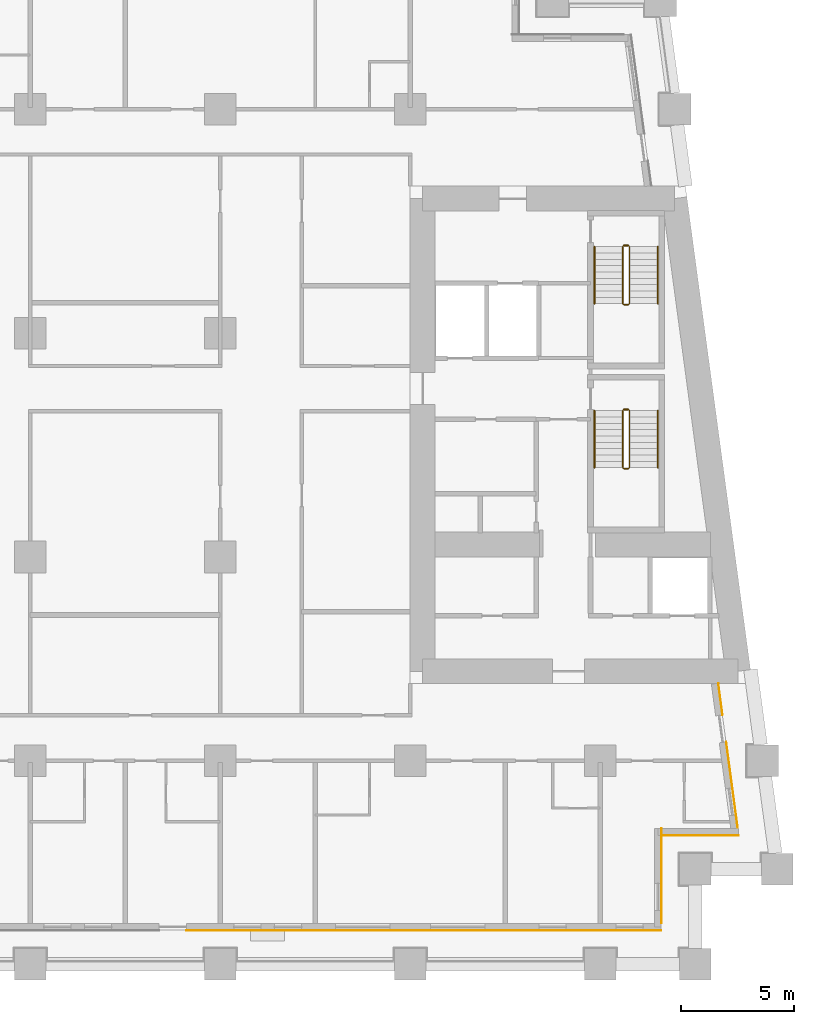
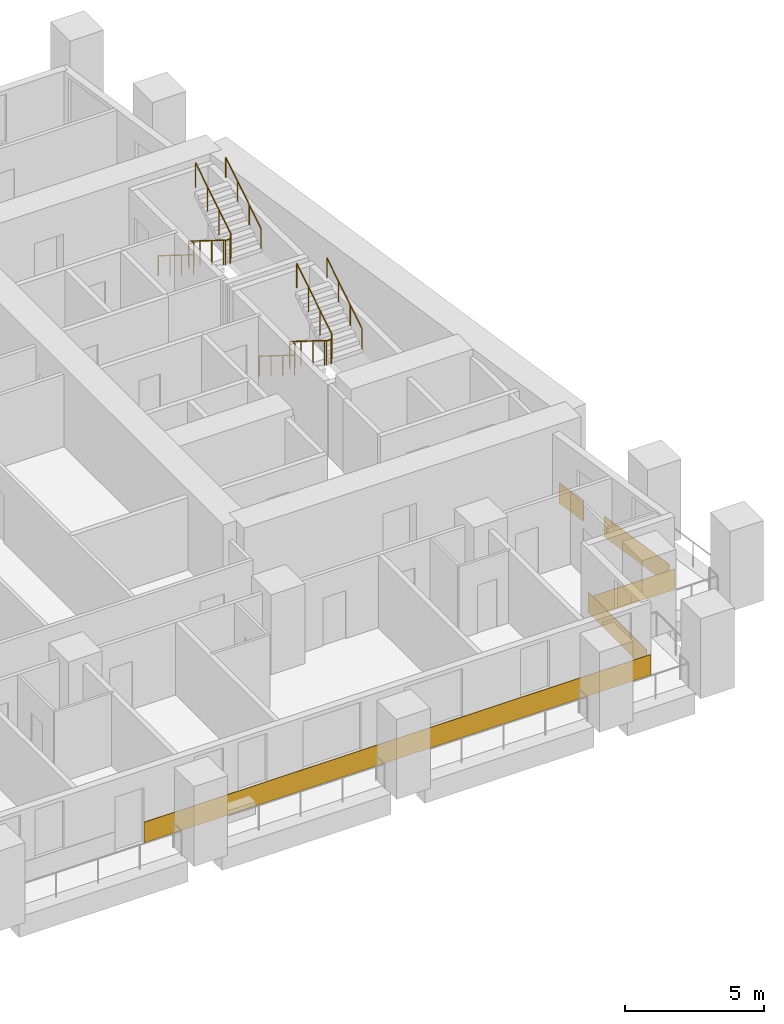
# One storey, part 10 of 12: 8 railings, 5 coverings.
"""IFC4 building model written with IfcOpenShell, lengths in metres."""

from ifc_helpers import new_model, si_unit, direction, frame, origin, origin_2d, place, context, subcontext, project, spatial, rectangle, circle, extrude, material, layer, layer_set, type_object, element, save


model = new_model("IFC4")

# Units and contexts
model_context = context("Model", 3, precision=1e-05, world=origin(), true_north=direction((0.0, 1.0)))
body_context = subcontext(model_context, "Body", "Model", "MODEL_VIEW")
ifc_project = project(units=[si_unit("LENGTHUNIT", "METRE"), si_unit("AREAUNIT", "SQUARE_METRE"), si_unit("VOLUMEUNIT", "CUBIC_METRE"), si_unit("PLANEANGLEUNIT", "RADIAN"), si_unit("MASSUNIT", "GRAM", prefix="KILO")], contexts=[model_context])

# Site, building, storey
site_placement = place(None, origin())
site = spatial("IfcSite", under=ifc_project, at=site_placement, CompositionType="ELEMENT")
building_placement = place(site_placement, origin())
building = spatial("IfcBuilding", under=site, at=building_placement, Name="Candeia Pilgrim Tower and Theatre", CompositionType="ELEMENT")
storey_placement = place(building_placement, frame((0.0, 0.0, 46.0)))
storey = spatial("IfcBuildingStorey", under=building, at=storey_placement, Name="L08", CompositionType="ELEMENT", Elevation=46.0)

# Coverings
ifc_material_1 = material(Name="Glazed ceramic tile deep red")
ifc_layer = layer(ifc_material_1, 0.02001953125)
ifc_layer_set = layer_set([ifc_layer], Name="Glazed ceramic tile deep red")
covering_type = type_object("IfcCoveringType", Name="Glazed ceramic tile deep red", PredefinedType="CLADDING", material=ifc_layer_set)
covering_1_placement = place(storey_placement, frame((126.60009765625, 99.489990234375, 0.0), z_axis=(0.0, 0.0, 1.0), x_axis=(1.0, 0.0, 0.0)))
element("IfcCovering", 1, at=covering_1_placement, inside=storey, type_object=covering_type, Name="Tile cladding deep red L08", PredefinedType="CLADDING", context=body_context, shape_type="SweptSolid", body=[
    extrude(rectangle(XDim=21.0, YDim=0.02001953125, at=origin_2d()), origin(), (0.0, 0.0, 1.0), 0.89990234375),
])
covering_2_placement = place(storey_placement, frame((137.110107421875, 101.909912109375, 0.0), z_axis=(0.0, 0.0, 1.0), x_axis=(0.0, 1.0, 0.0)))
element("IfcCovering", 2, at=covering_2_placement, inside=storey, type_object=covering_type, Name="Tile cladding deep red L08", PredefinedType="CLADDING", context=body_context, shape_type="SweptSolid", body=[
    extrude(rectangle(XDim=4.179931640625, YDim=0.02001953125, at=origin_2d()), origin(), (0.0, 0.0, 1.0), 0.89990234375),
])
covering_3_placement = place(storey_placement, frame((138.819580078125, 103.68994140625, 0.0), z_axis=(0.0, 0.0, 1.0), x_axis=(1.0, 0.0, 0.0)))
element("IfcCovering", 3, at=covering_3_placement, inside=storey, type_object=covering_type, Name="Tile cladding deep red L08", PredefinedType="CLADDING", context=body_context, shape_type="SweptSolid", body=[
    extrude(rectangle(XDim=3.399169921875, YDim=0.02001953125, at=origin_2d()), origin(), (0.0, 0.0, 1.0), 0.89990234375),
])
covering_4_placement = place(storey_placement, frame((140.228515625, 105.933349609375, 0.0), z_axis=(0.0, 0.0, 1.0), x_axis=(-0.133412012145, 0.991060661622, 0.0)))
element("IfcCovering", 4, at=covering_4_placement, inside=storey, type_object=covering_type, Name="Tile cladding deep red L08", PredefinedType="CLADDING", context=body_context, shape_type="SweptSolid", body=[
    extrude(rectangle(XDim=3.821044921875, YDim=0.02001953125, at=origin_2d()), origin(), (0.0, 0.0, 1.0), 0.89990234375),
])
covering_5_placement = place(storey_placement, frame((139.718994140625, 109.71875, 0.0), z_axis=(0.0, 0.0, 1.0), x_axis=(-0.133412012145, 0.991060661622, 0.0)))
element("IfcCovering", 5, at=covering_5_placement, inside=storey, type_object=covering_type, Name="Tile cladding deep red L08", PredefinedType="CLADDING", context=body_context, shape_type="SweptSolid", body=[
    extrude(rectangle(XDim=1.41796875, YDim=0.02001953125, at=origin_2d()), origin(), (0.0, 0.0, 1.0), 0.89990234375),
])

# Railings
ifc_material_2 = material(Name="Stainless steel balustrade", Category="steel")
railing_type_1 = type_object("IfcRailingType", Name="RL-GUARD-1100", PredefinedType="GUARDRAIL", material=ifc_material_2)
railing_1_placement = place(storey_placement, frame((135.39794921875, 122.47509765625, 0.175048828125)))
element("IfcRailing", 6, at=railing_1_placement, inside=storey, type_object=railing_type_1, Name="L08 ST3 stair guard 1", PredefinedType="GUARDRAIL", context=body_context, shape_type="SweptSolid", body=[
    extrude(circle(Radius=0.02392578125, at=origin_2d()), frame((0.0, 0.0, 1.076171875), z_axis=(0.0, -0.848007534815, 0.529984170421), x_axis=(1.0, 0.0, 0.0)), (0.0, 0.0, 1.0), 2.9716796875),
    extrude(circle(Radius=0.02392578125, at=origin_2d()), frame((0.0, -2.52001953125, 2.65087890625), z_axis=(0.707106781187, -0.707106781187, 0.0), x_axis=(0.707106781187, 0.707106781187, 0.0)), (0.0, 0.0, 1.0), 0.07080078125),
    extrude(circle(Radius=0.02392578125, at=origin_2d()), frame((0.050048828125, -2.570068359375, 2.65087890625), z_axis=(1.0, 0.0, 0.0), x_axis=(0.0, 1.0, 0.0)), (0.0, 0.0, 1.0), 0.199951171875),
    extrude(circle(Radius=0.02392578125, at=origin_2d()), frame((0.25, -2.570068359375, 2.65087890625), z_axis=(0.265065253269, 0.265065253269, 0.927081885822), x_axis=(-0.707106781187, 0.707106781187, 0.0)), (0.0, 0.0, 1.0), 0.188720703125),
    extrude(circle(Radius=0.02392578125, at=origin_2d()), frame((0.300048828125, -2.52001953125, 2.826171875), z_axis=(0.0, 0.848007534815, 0.529984170421), x_axis=(-1.0, 0.0, 0.0)), (0.0, 0.0, 1.0), 2.9716796875),
    extrude(circle(Radius=0.02099609375, at=origin_2d()), origin(), (0.0, 0.0, 1.0), 1.052001953125),
    extrude(circle(Radius=0.02099609375, at=origin_2d()), frame((0.0, -0.840087890625, 0.52490234375)), (0.0, 0.0, 1.0), 1.052001953125),
    extrude(circle(Radius=0.02099609375, at=origin_2d()), frame((0.0, -1.679931640625, 1.050048828125)), (0.0, 0.0, 1.0), 1.052001953125),
    extrude(circle(Radius=0.02099609375, at=origin_2d()), frame((0.0, -2.52001953125, 1.574951171875)), (0.0, 0.0, 1.0), 1.052001953125),
    extrude(circle(Radius=0.02099609375, at=origin_2d()), frame((0.050048828125, -2.570068359375, 1.574951171875)), (0.0, 0.0, 1.0), 1.052001953125),
    extrude(circle(Radius=0.02099609375, at=origin_2d()), frame((0.25, -2.570068359375, 1.574951171875)), (0.0, 0.0, 1.0), 1.052001953125),
    extrude(circle(Radius=0.02099609375, at=origin_2d()), frame((0.300048828125, -2.52001953125, 1.75)), (0.0, 0.0, 1.0), 1.052001953125),
    extrude(circle(Radius=0.02099609375, at=origin_2d()), frame((0.300048828125, -1.679931640625, 2.27490234375)), (0.0, 0.0, 1.0), 1.052001953125),
    extrude(circle(Radius=0.02099609375, at=origin_2d()), frame((0.300048828125, -0.840087890625, 2.800048828125)), (0.0, 0.0, 1.0), 1.052001953125),
    extrude(circle(Radius=0.02099609375, at=origin_2d()), frame((0.300048828125, 0.0, 3.324951171875)), (0.0, 0.0, 1.0), 1.052001953125),
])
railing_2_placement = place(storey_placement, frame((135.447998046875, 122.52490234375, 0.0)))
element("IfcRailing", 7, at=railing_2_placement, inside=storey, type_object=railing_type_1, Name="L08 ST3 stair guard 2", PredefinedType="GUARDRAIL", context=body_context, shape_type="SweptSolid", body=[
    extrude(circle(Radius=0.02392578125, at=origin_2d()), frame((0.0, 0.0, 1.076171875), z_axis=(1.0, 0.0, 0.0), x_axis=(0.0, 1.0, 0.0)), (0.0, 0.0, 1.0), 0.199951171875),
    extrude(circle(Radius=0.02099609375, at=origin_2d()), origin(), (0.0, 0.0, 1.0), 1.052001953125),
    extrude(circle(Radius=0.02099609375, at=origin_2d()), frame((0.199951171875, 0.0, 0.0)), (0.0, 0.0, 1.0), 1.052001953125),
])
railing_3_placement = place(storey_placement, frame((135.39794921875, 129.72509765625, 0.175048828125)))
element("IfcRailing", 8, at=railing_3_placement, inside=storey, type_object=railing_type_1, Name="L08 ST4 stair guard 1", PredefinedType="GUARDRAIL", context=body_context, shape_type="SweptSolid", body=[
    extrude(circle(Radius=0.02392578125, at=origin_2d()), frame((0.0, 0.0, 1.076171875), z_axis=(0.0, -0.848007534815, 0.529984170421), x_axis=(1.0, 0.0, 0.0)), (0.0, 0.0, 1.0), 2.9716796875),
    extrude(circle(Radius=0.02392578125, at=origin_2d()), frame((0.0, -2.52001953125, 2.65087890625), z_axis=(0.707106781187, -0.707106781187, 0.0), x_axis=(0.707106781187, 0.707106781187, 0.0)), (0.0, 0.0, 1.0), 0.07080078125),
    extrude(circle(Radius=0.02392578125, at=origin_2d()), frame((0.050048828125, -2.570068359375, 2.65087890625), z_axis=(1.0, 0.0, 0.0), x_axis=(0.0, 1.0, 0.0)), (0.0, 0.0, 1.0), 0.199951171875),
    extrude(circle(Radius=0.02392578125, at=origin_2d()), frame((0.25, -2.570068359375, 2.65087890625), z_axis=(0.265065253269, 0.265065253269, 0.927081885822), x_axis=(-0.707106781187, 0.707106781187, 0.0)), (0.0, 0.0, 1.0), 0.188720703125),
    extrude(circle(Radius=0.02392578125, at=origin_2d()), frame((0.300048828125, -2.52001953125, 2.826171875), z_axis=(0.0, 0.848007534815, 0.529984170421), x_axis=(-1.0, 0.0, 0.0)), (0.0, 0.0, 1.0), 2.9716796875),
    extrude(circle(Radius=0.02099609375, at=origin_2d()), origin(), (0.0, 0.0, 1.0), 1.052001953125),
    extrude(circle(Radius=0.02099609375, at=origin_2d()), frame((0.0, -0.840087890625, 0.52490234375)), (0.0, 0.0, 1.0), 1.052001953125),
    extrude(circle(Radius=0.02099609375, at=origin_2d()), frame((0.0, -1.679931640625, 1.050048828125)), (0.0, 0.0, 1.0), 1.052001953125),
    extrude(circle(Radius=0.02099609375, at=origin_2d()), frame((0.0, -2.52001953125, 1.574951171875)), (0.0, 0.0, 1.0), 1.052001953125),
    extrude(circle(Radius=0.02099609375, at=origin_2d()), frame((0.050048828125, -2.570068359375, 1.574951171875)), (0.0, 0.0, 1.0), 1.052001953125),
    extrude(circle(Radius=0.02099609375, at=origin_2d()), frame((0.25, -2.570068359375, 1.574951171875)), (0.0, 0.0, 1.0), 1.052001953125),
    extrude(circle(Radius=0.02099609375, at=origin_2d()), frame((0.300048828125, -2.52001953125, 1.75)), (0.0, 0.0, 1.0), 1.052001953125),
    extrude(circle(Radius=0.02099609375, at=origin_2d()), frame((0.300048828125, -1.679931640625, 2.27490234375)), (0.0, 0.0, 1.0), 1.052001953125),
    extrude(circle(Radius=0.02099609375, at=origin_2d()), frame((0.300048828125, -0.840087890625, 2.800048828125)), (0.0, 0.0, 1.0), 1.052001953125),
    extrude(circle(Radius=0.02099609375, at=origin_2d()), frame((0.300048828125, 0.0, 3.324951171875)), (0.0, 0.0, 1.0), 1.052001953125),
])
railing_4_placement = place(storey_placement, frame((135.447998046875, 129.77490234375, 0.0)))
element("IfcRailing", 9, at=railing_4_placement, inside=storey, type_object=railing_type_1, Name="L08 ST4 stair guard 2", PredefinedType="GUARDRAIL", context=body_context, shape_type="SweptSolid", body=[
    extrude(circle(Radius=0.02392578125, at=origin_2d()), frame((0.0, 0.0, 1.076171875), z_axis=(1.0, 0.0, 0.0), x_axis=(0.0, 1.0, 0.0)), (0.0, 0.0, 1.0), 0.199951171875),
    extrude(circle(Radius=0.02099609375, at=origin_2d()), origin(), (0.0, 0.0, 1.0), 1.052001953125),
    extrude(circle(Radius=0.02099609375, at=origin_2d()), frame((0.199951171875, 0.0, 0.0)), (0.0, 0.0, 1.0), 1.052001953125),
])
ifc_material_3 = material(Name="Stainless steel handrail", Category="steel")
railing_type_2 = type_object("IfcRailingType", Name="RL-HANDRAIL-900", PredefinedType="HANDRAIL", material=ifc_material_3)
railing_5_placement = place(storey_placement, frame((134.14794921875, 122.47509765625, 0.175048828125)))
element("IfcRailing", 10, at=railing_5_placement, inside=storey, type_object=railing_type_2, Name="L08 ST3 stair handrail 1", PredefinedType="HANDRAIL", context=body_context, shape_type="SweptSolid", body=[
    extrude(circle(Radius=0.02392578125, at=origin_2d()), frame((0.0, 0.0, 0.8759765625), z_axis=(0.0, -0.848007534815, 0.529984170421), x_axis=(1.0, 0.0, 0.0)), (0.0, 0.0, 1.0), 2.9716796875),
    extrude(circle(Radius=0.02099609375, at=origin_2d()), origin(), (0.0, 0.0, 1.0), 0.851806640625),
    extrude(circle(Radius=0.02099609375, at=origin_2d()), frame((0.0, -0.840087890625, 0.52490234375)), (0.0, 0.0, 1.0), 0.851806640625),
    extrude(circle(Radius=0.02099609375, at=origin_2d()), frame((0.0, -1.679931640625, 1.050048828125)), (0.0, 0.0, 1.0), 0.851806640625),
    extrude(circle(Radius=0.02099609375, at=origin_2d()), frame((0.0, -2.52001953125, 1.574951171875)), (0.0, 0.0, 1.0), 0.851806640625),
])
railing_6_placement = place(storey_placement, frame((136.947998046875, 119.955078125, 1.925048828125)))
element("IfcRailing", 11, at=railing_6_placement, inside=storey, type_object=railing_type_2, Name="L08 ST3 stair handrail 2", PredefinedType="HANDRAIL", context=body_context, shape_type="SweptSolid", body=[
    extrude(circle(Radius=0.02392578125, at=origin_2d()), frame((0.0, 0.0, 0.8759765625), z_axis=(0.0, 0.848007534815, 0.529984170421), x_axis=(-1.0, 0.0, 0.0)), (0.0, 0.0, 1.0), 2.9716796875),
    extrude(circle(Radius=0.02099609375, at=origin_2d()), origin(), (0.0, 0.0, 1.0), 0.851806640625),
    extrude(circle(Radius=0.02099609375, at=origin_2d()), frame((0.0, 0.840087890625, 0.52490234375)), (0.0, 0.0, 1.0), 0.851806640625),
    extrude(circle(Radius=0.02099609375, at=origin_2d()), frame((0.0, 1.679931640625, 1.050048828125)), (0.0, 0.0, 1.0), 0.851806640625),
    extrude(circle(Radius=0.02099609375, at=origin_2d()), frame((0.0, 2.52001953125, 1.574951171875)), (0.0, 0.0, 1.0), 0.851806640625),
])
railing_7_placement = place(storey_placement, frame((134.14794921875, 129.72509765625, 0.175048828125)))
element("IfcRailing", 12, at=railing_7_placement, inside=storey, type_object=railing_type_2, Name="L08 ST4 stair handrail 1", PredefinedType="HANDRAIL", context=body_context, shape_type="SweptSolid", body=[
    extrude(circle(Radius=0.02392578125, at=origin_2d()), frame((0.0, 0.0, 0.8759765625), z_axis=(0.0, -0.848007534815, 0.529984170421), x_axis=(1.0, 0.0, 0.0)), (0.0, 0.0, 1.0), 2.9716796875),
    extrude(circle(Radius=0.02099609375, at=origin_2d()), origin(), (0.0, 0.0, 1.0), 0.851806640625),
    extrude(circle(Radius=0.02099609375, at=origin_2d()), frame((0.0, -0.840087890625, 0.52490234375)), (0.0, 0.0, 1.0), 0.851806640625),
    extrude(circle(Radius=0.02099609375, at=origin_2d()), frame((0.0, -1.679931640625, 1.050048828125)), (0.0, 0.0, 1.0), 0.851806640625),
    extrude(circle(Radius=0.02099609375, at=origin_2d()), frame((0.0, -2.52001953125, 1.574951171875)), (0.0, 0.0, 1.0), 0.851806640625),
])
railing_8_placement = place(storey_placement, frame((136.947998046875, 127.205078125, 1.925048828125)))
element("IfcRailing", 13, at=railing_8_placement, inside=storey, type_object=railing_type_2, Name="L08 ST4 stair handrail 2", PredefinedType="HANDRAIL", context=body_context, shape_type="SweptSolid", body=[
    extrude(circle(Radius=0.02392578125, at=origin_2d()), frame((0.0, 0.0, 0.8759765625), z_axis=(0.0, 0.848007534815, 0.529984170421), x_axis=(-1.0, 0.0, 0.0)), (0.0, 0.0, 1.0), 2.9716796875),
    extrude(circle(Radius=0.02099609375, at=origin_2d()), origin(), (0.0, 0.0, 1.0), 0.851806640625),
    extrude(circle(Radius=0.02099609375, at=origin_2d()), frame((0.0, 0.840087890625, 0.52490234375)), (0.0, 0.0, 1.0), 0.851806640625),
    extrude(circle(Radius=0.02099609375, at=origin_2d()), frame((0.0, 1.679931640625, 1.050048828125)), (0.0, 0.0, 1.0), 0.851806640625),
    extrude(circle(Radius=0.02099609375, at=origin_2d()), frame((0.0, 2.52001953125, 1.574951171875)), (0.0, 0.0, 1.0), 0.851806640625),
])

save(model, "model.ifc")
